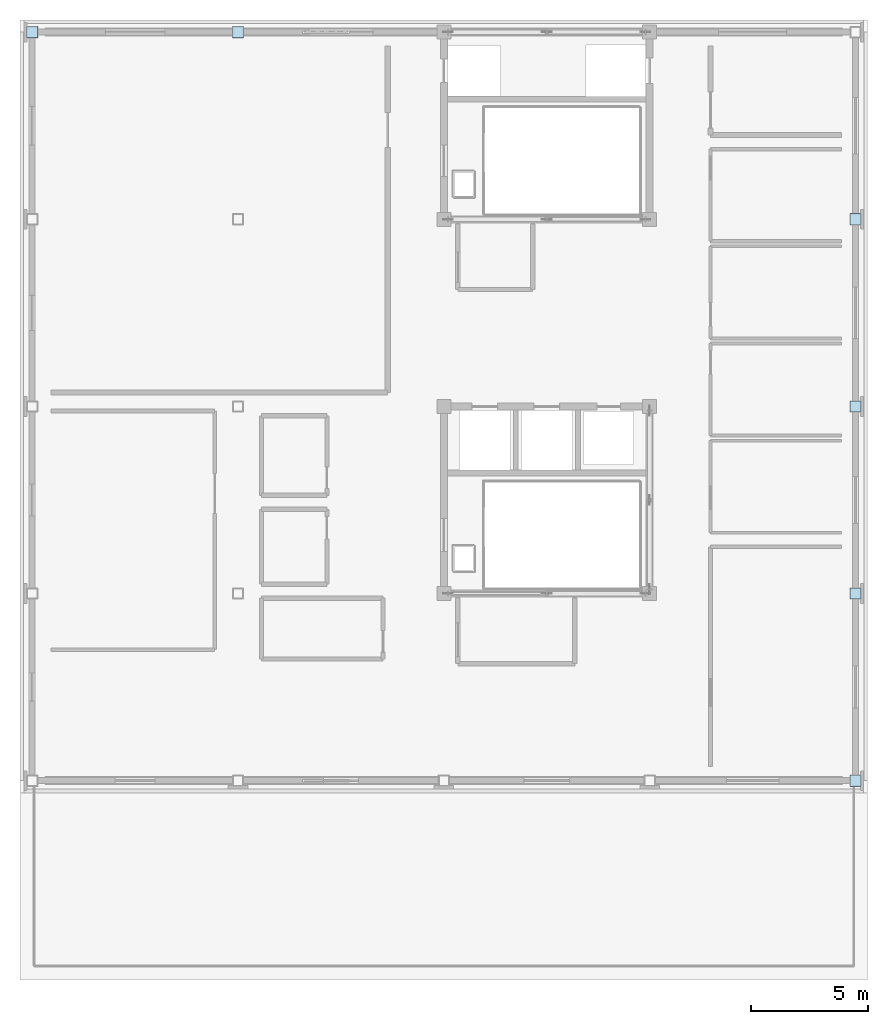
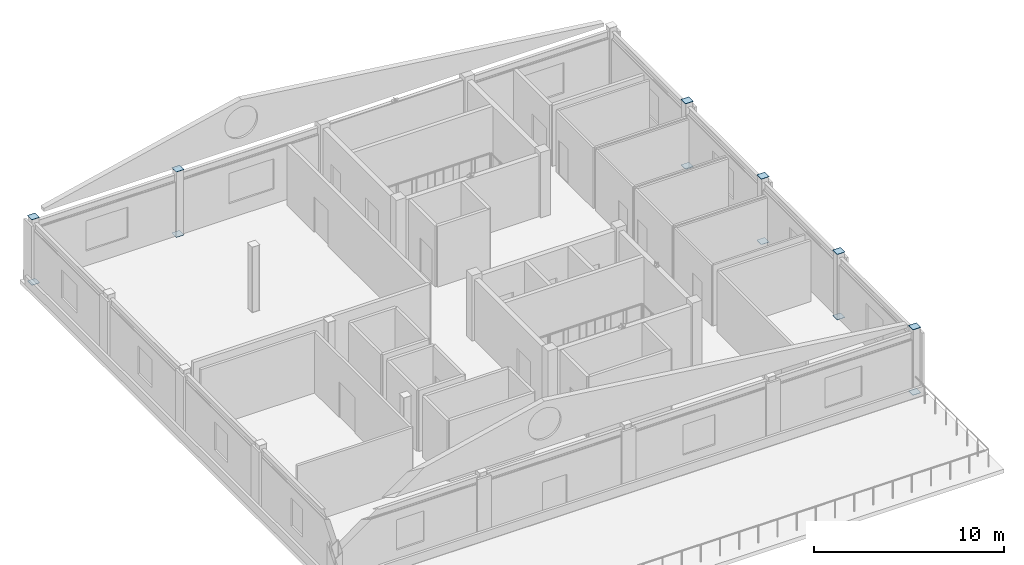
# One storey, part 5 of 10: 18 plates.
"""IFC4 building model written with IfcOpenShell, lengths in metres."""

from ifc_helpers import new_model, si_unit, direction, frame, origin, origin_2d, place, context, subcontext, project, spatial, rectangle, extrude, material, layer, layer_set, type_object, element, save


model = new_model("IFC4")

# Units and contexts
model_context = context("Model", 3, precision=1e-05, world=origin(), true_north=direction((0.0, 1.0)))
body_context = subcontext(model_context, "Body", "Model", "MODEL_VIEW")
ifc_project = project(units=[si_unit("LENGTHUNIT", "METRE"), si_unit("AREAUNIT", "SQUARE_METRE"), si_unit("VOLUMEUNIT", "CUBIC_METRE"), si_unit("PLANEANGLEUNIT", "RADIAN"), si_unit("MASSUNIT", "GRAM", prefix="KILO")], contexts=[model_context])

# Site, building, storey
site_placement = place(None, origin())
site = spatial("IfcSite", under=ifc_project, at=site_placement, CompositionType="ELEMENT")
building_placement = place(site_placement, origin())
building = spatial("IfcBuilding", under=site, at=building_placement, Name="Zhaolan Boulevard Law Courts", CompositionType="ELEMENT")
storey_placement = place(building_placement, frame((0.0, 0.0, 41.39990234375)))
storey = spatial("IfcBuildingStorey", under=building, at=storey_placement, Name="L09", CompositionType="ELEMENT", Elevation=41.39990234375)

# Plates
ifc_material = material(Name="Structural steel Q355B", Category="steel")
ifc_layer = layer(ifc_material, 0.02001953125)
ifc_layer_set = layer_set([ifc_layer])
plate_type = type_object("IfcPlateType", Name="END CAP PLATE 20", PredefinedType="SHEET", material=ifc_layer_set)
for number, where, z_axis, x_axis, name in (
    (1, (0.0, 70.0, 4.18017578125), (0.0, 0.0, 1.0), (1.0, 0.0, 0.0), "Hollow Column Top End-Cap Plate ECP-1K"),
    (2, (8.800048828125, 70.0, 4.18017578125), (0.0, 0.0, 1.0), (1.0, 0.0, 0.0), "Hollow Column Top End-Cap Plate ECP-2K"),
    (3, (35.199951171875, 38.0, 4.18017578125), (0.0, 0.0, 1.0), (1.0, 0.0, 0.0), "Hollow Column Top End-Cap Plate ECP-5F"),
    (4, (35.199951171875, 46.0, 4.18017578125), (0.0, 0.0, 1.0), (1.0, 0.0, 0.0), "Hollow Column Top End-Cap Plate ECP-5G"),
    (5, (35.199951171875, 54.0, 4.18017578125), (0.0, 0.0, 1.0), (1.0, 0.0, 0.0), "Hollow Column Top End-Cap Plate ECP-5H"),
    (6, (35.199951171875, 62.0, 4.18017578125), (0.0, 0.0, 1.0), (1.0, 0.0, 0.0), "Hollow Column Top End-Cap Plate ECP-5J"),
):
    element("IfcPlate", number, at=place(storey_placement, frame(where, z_axis=z_axis, x_axis=x_axis)), inside=storey, type_object=plate_type, Name=name, PredefinedType="SHEET", context=body_context, shape_type="SweptSolid", body=[
        extrude(rectangle(XDim=0.449951171875, YDim=0.449951171875, at=origin_2d()), origin(), (0.0, 0.0, 1.0), 0.02001953125),
    ])
for number, where, z_axis, x_axis, name in (
    (7, (0.0, 70.0, -0.017822265625), (0.0, 0.0, 1.0), (1.0, 0.0, 0.0), "Hollow Section End-Cap Plate ECP-0129"),
    (8, (0.0, 70.0, 4.197998046875), (0.0, 0.0, 1.0), (1.0, 0.0, 0.0), "Hollow Section End-Cap Plate ECP-0130"),
    (9, (8.800048828125, 70.0, -0.017822265625), (0.0, 0.0, 1.0), (1.0, 0.0, 0.0), "Hollow Section End-Cap Plate ECP-0263"),
    (10, (8.800048828125, 70.0, 4.197998046875), (0.0, 0.0, 1.0), (1.0, 0.0, 0.0), "Hollow Section End-Cap Plate ECP-0264"),
    (11, (35.199951171875, 38.0, -0.017822265625), (0.0, 0.0, 1.0), (1.0, 0.0, 0.0), "Hollow Section End-Cap Plate ECP-0397"),
    (12, (35.199951171875, 38.0, 4.197998046875), (0.0, 0.0, 1.0), (1.0, 0.0, 0.0), "Hollow Section End-Cap Plate ECP-0398"),
    (13, (35.199951171875, 46.0, -0.017822265625), (0.0, 0.0, 1.0), (1.0, 0.0, 0.0), "Hollow Section End-Cap Plate ECP-0419"),
    (14, (35.199951171875, 46.0, 4.197998046875), (0.0, 0.0, 1.0), (1.0, 0.0, 0.0), "Hollow Section End-Cap Plate ECP-0420"),
    (15, (35.199951171875, 54.0, -0.017822265625), (0.0, 0.0, 1.0), (1.0, 0.0, 0.0), "Hollow Section End-Cap Plate ECP-0441"),
    (16, (35.199951171875, 54.0, 4.197998046875), (0.0, 0.0, 1.0), (1.0, 0.0, 0.0), "Hollow Section End-Cap Plate ECP-0442"),
    (17, (35.199951171875, 62.0, -0.017822265625), (0.0, 0.0, 1.0), (1.0, 0.0, 0.0), "Hollow Section End-Cap Plate ECP-0463"),
    (18, (35.199951171875, 62.0, 4.197998046875), (0.0, 0.0, 1.0), (1.0, 0.0, 0.0), "Hollow Section End-Cap Plate ECP-0464"),
):
    element("IfcPlate", number, at=place(storey_placement, frame(where, z_axis=z_axis, x_axis=x_axis)), inside=storey, type_object=plate_type, Name=name, PredefinedType="SHEET", context=body_context, shape_type="SweptSolid", body=[
        extrude(rectangle(XDim=0.47998046875, YDim=0.47998046875, at=origin_2d()), origin(), (0.0, 0.0, 1.0), 0.02001953125),
    ])

save(model, "model.ifc")
